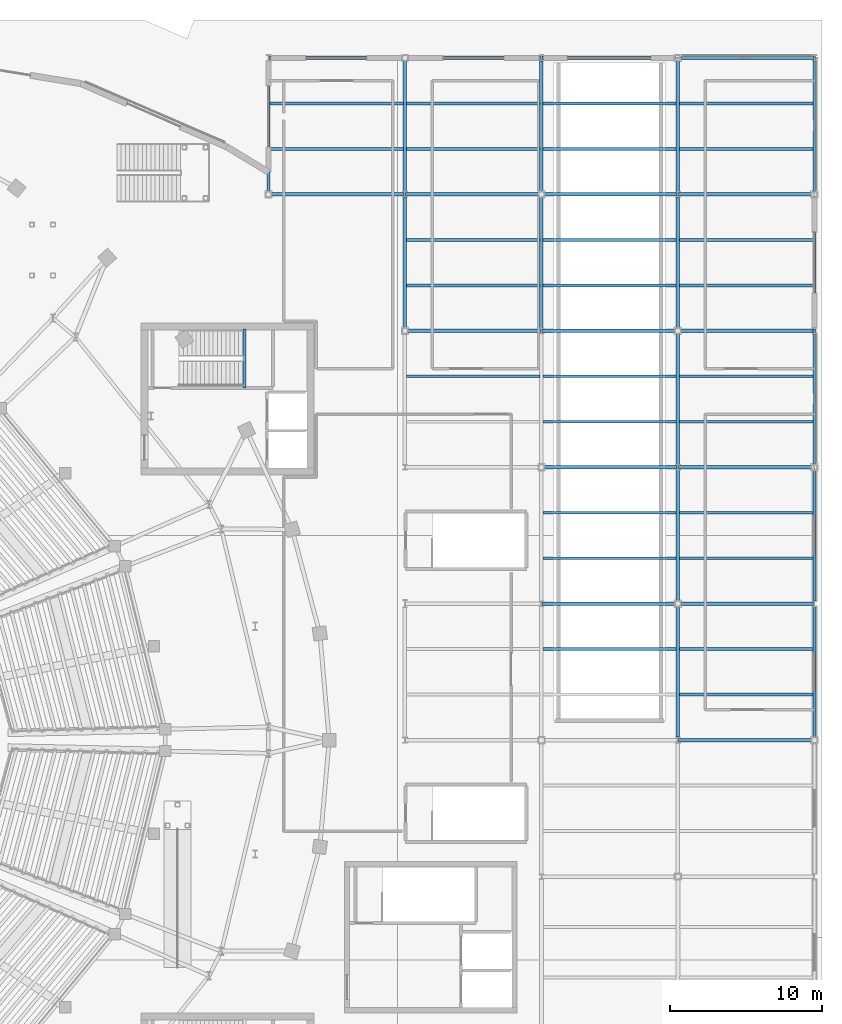
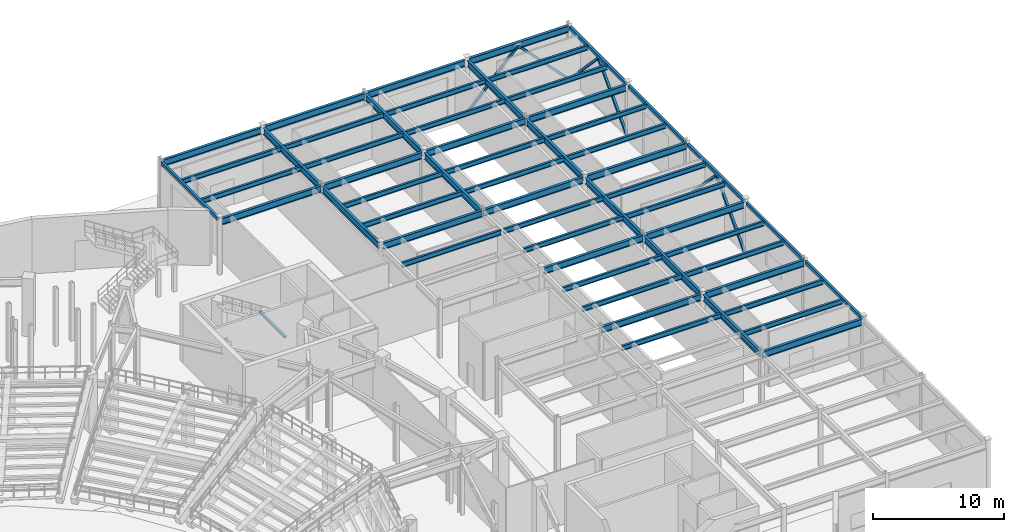
# One storey, part 39 of 79: 58 beams, 6 members.
"""IFC4 building model written with IfcOpenShell, lengths in metres."""

from ifc_helpers import new_model, si_unit, direction, frame, origin, origin_2d, place, context, subcontext, project, spatial, hollow_rectangle, i_section, extrude, material, material_profile, profile_set, type_object, element, save


model = new_model("IFC4")

# Units and contexts
model_context = context("Model", 3, precision=1e-05, world=origin(), true_north=direction((0.0, 1.0)))
body_context = subcontext(model_context, "Body", "Model", "MODEL_VIEW")
ifc_project = project(units=[si_unit("LENGTHUNIT", "METRE"), si_unit("AREAUNIT", "SQUARE_METRE"), si_unit("VOLUMEUNIT", "CUBIC_METRE"), si_unit("PLANEANGLEUNIT", "RADIAN"), si_unit("MASSUNIT", "GRAM", prefix="KILO")], contexts=[model_context])

# Site, building, storey
site_placement = place(None, origin())
site = spatial("IfcSite", under=ifc_project, at=site_placement, CompositionType="ELEMENT")
building_placement = place(site_placement, origin())
building = spatial("IfcBuilding", under=site, at=building_placement, Name="Glasvene Arena", CompositionType="ELEMENT")
storey_placement = place(building_placement, origin())
storey = spatial("IfcBuildingStorey", under=building, at=storey_placement, Name="L00", CompositionType="ELEMENT", Elevation=0.0)

# Beams
ifc_material = material(Name="Steel S355J2", Category="steel")
ifc_material_profile_1 = material_profile(ifc_material, i_section(OverallWidth=0.228271484375, OverallDepth=0.607666015625, WebThickness=0.010986328125, FlangeThickness=0.017333984375, FilletRadius=0.0126953125, at=origin_2d()), Name="UKB 610x229x113")
ifc_profile_set_1 = profile_set([ifc_material_profile_1], Name="Steel S355J2")
beam_type_1 = type_object("IfcBeamType", Name="BM-GIRD-610", PredefinedType="BEAM", material=ifc_profile_set_1)
for number, where, z_axis, x_axis, name in (
    (1, (165.050048828125, 73.0, 4.816162109375), (1.0, 0.0, 0.0), (0.0, 1.0, 0.0), "Primary X girder L00-0324"),
    (2, (156.050048828125, 82.0, 4.816162109375), (1.0, 0.0, 0.0), (0.0, 1.0, 0.0), "Primary X girder L00-0326"),
    (3, (165.1982421875, 82.0, 4.816162109375), (1.0, 0.0, 0.0), (0.0, 1.0, 0.0), "Primary X girder L00-0327"),
    (4, (156.1982421875, 91.0, 4.816162109375), (1.0, 0.0, 0.0), (0.0, 1.0, 0.0), "Primary X girder L00-0329"),
    (5, (165.050048828125, 91.0, 4.816162109375), (1.0, 0.0, 0.0), (0.0, 1.0, 0.0), "Primary X girder L00-0330"),
    (6, (147.1982421875, 100.0, 4.816162109375), (1.0, 0.0, 0.0), (0.0, 1.0, 0.0), "Primary X girder L00-0331"),
    (7, (156.050048828125, 100.0, 4.816162109375), (1.0, 0.0, 0.0), (0.0, 1.0, 0.0), "Primary X girder L00-0332"),
    (8, (165.1982421875, 100.0, 4.816162109375), (1.0, 0.0, 0.0), (0.0, 1.0, 0.0), "Primary X girder L00-0333"),
    (9, (138.1982421875, 109.0, 4.816162109375), (1.0, 0.0, 0.0), (0.0, 1.0, 0.0), "Primary X girder L00-0339"),
    (10, (147.050048828125, 109.0, 4.816162109375), (1.0, 0.0, 0.0), (0.0, 1.0, 0.0), "Primary X girder L00-0340"),
    (11, (156.1982421875, 109.0, 4.816162109375), (1.0, 0.0, 0.0), (0.0, 1.0, 0.0), "Primary X girder L00-0341"),
    (12, (165.050048828125, 109.0, 4.816162109375), (1.0, 0.0, 0.0), (0.0, 1.0, 0.0), "Primary X girder L00-0342"),
    (13, (138.050048828125, 118.0, 4.816162109375), (1.0, 0.0, 0.0), (0.0, 1.0, 0.0), "Primary X girder L00-0348"),
    (14, (147.1982421875, 118.0, 4.816162109375), (1.0, 0.0, 0.0), (0.0, 1.0, 0.0), "Primary X girder L00-0349"),
    (15, (156.050048828125, 118.0, 4.816162109375), (1.0, 0.0, 0.0), (0.0, 1.0, 0.0), "Primary X girder L00-0350"),
    (16, (165.1982421875, 118.0, 4.816162109375), (1.0, 0.0, 0.0), (0.0, 1.0, 0.0), "Primary X girder L00-0351"),
):
    element("IfcBeam", number, at=place(storey_placement, frame(where, z_axis=z_axis, x_axis=x_axis)), inside=storey, type_object=beam_type_1, Name=name, PredefinedType="BEAM", context=body_context, shape_type="SweptSolid", body=[
        extrude(i_section(OverallWidth=0.228271484375, OverallDepth=0.607666015625, WebThickness=0.010986328125, FlangeThickness=0.017333984375, FilletRadius=0.0126953125, at=origin_2d()), origin(), (0.0, 0.0, 1.0), 8.751708984375),
    ])
for number, where, z_axis, x_axis, name in (
    (17, (147.0, 100.1982421875, 4.816162109375), (0.0, 1.0, 0.0), (-1.0, 0.0, 0.0), "Primary Y girder L00-0401"),
    (18, (147.0, 109.195068359375, 4.816162109375), (0.0, 1.0, 0.0), (-1.0, 0.0, 0.0), "Primary Y girder L00-0402"),
    (19, (156.0, 100.195068359375, 4.816162109375), (0.0, 1.0, 0.0), (-1.0, 0.0, 0.0), "Primary Y girder L00-0408"),
    (20, (156.0, 109.1982421875, 4.816162109375), (0.0, 1.0, 0.0), (-1.0, 0.0, 0.0), "Primary Y girder L00-0409"),
    (21, (165.0, 73.195068359375, 4.816162109375), (0.0, 1.0, 0.0), (-1.0, 0.0, 0.0), "Primary Y girder L00-0412"),
    (22, (165.0, 82.1982421875, 4.816162109375), (0.0, 1.0, 0.0), (-1.0, 0.0, 0.0), "Primary Y girder L00-0413"),
    (23, (165.0, 91.195068359375, 4.816162109375), (0.0, 1.0, 0.0), (-1.0, 0.0, 0.0), "Primary Y girder L00-0414"),
    (24, (165.0, 100.1982421875, 4.816162109375), (0.0, 1.0, 0.0), (-1.0, 0.0, 0.0), "Primary Y girder L00-0415"),
    (25, (165.0, 109.195068359375, 4.816162109375), (0.0, 1.0, 0.0), (-1.0, 0.0, 0.0), "Primary Y girder L00-0416"),
):
    element("IfcBeam", number, at=place(storey_placement, frame(where, z_axis=z_axis, x_axis=x_axis)), inside=storey, type_object=beam_type_1, Name=name, PredefinedType="BEAM", context=body_context, shape_type="SweptSolid", body=[
        extrude(i_section(OverallWidth=0.228271484375, OverallDepth=0.607666015625, WebThickness=0.010986328125, FlangeThickness=0.017333984375, FilletRadius=0.0126953125, at=origin_2d()), origin(), (0.0, 0.0, 1.0), 8.606689453125),
    ])
ifc_material_profile_2 = material_profile(ifc_material, i_section(OverallWidth=0.1904296875, OverallDepth=0.45703125, WebThickness=0.009033203125, FlangeThickness=0.014404296875, FilletRadius=0.01025390625, at=origin_2d()), Name="UKB 457x191x74")
ifc_profile_set_2 = profile_set([ifc_material_profile_2], Name="Steel S355J2")
beam_type_2 = type_object("IfcBeamType", Name="BM-JOIST-457", PredefinedType="JOIST", material=ifc_profile_set_2)
for number, where, z_axis, x_axis, name in (
    (26, (138.095947265625, 112.0, 4.8916015625), (1.0, 0.0, 0.0), (0.0, 1.0, 0.0), "Composite floor joist L00-0484"),
    (27, (138.095947265625, 115.0, 4.8916015625), (1.0, 0.0, 0.0), (0.0, 1.0, 0.0), "Composite floor joist L00-0485"),
):
    element("IfcBeam", number, at=place(storey_placement, frame(where, z_axis=z_axis, x_axis=x_axis)), inside=storey, type_object=beam_type_2, Name=name, PredefinedType="JOIST", context=body_context, shape_type="SweptSolid", body=[
        extrude(i_section(OverallWidth=0.1904296875, OverallDepth=0.45703125, WebThickness=0.009033203125, FlangeThickness=0.014404296875, FilletRadius=0.01025390625, at=origin_2d()), origin(), (0.0, 0.0, 1.0), 8.7939453125),
    ])
for number, where, z_axis, x_axis, name in (
    (28, (147.110107421875, 97.0, 4.8916015625), (1.0, 0.0, 0.0), (0.0, 1.0, 0.0), "Composite floor joist L00-0489"),
    (29, (147.110107421875, 103.0, 4.8916015625), (1.0, 0.0, 0.0), (0.0, 1.0, 0.0), "Composite floor joist L00-0490"),
    (30, (147.110107421875, 106.0, 4.8916015625), (1.0, 0.0, 0.0), (0.0, 1.0, 0.0), "Composite floor joist L00-0491"),
    (31, (147.110107421875, 112.0, 4.8916015625), (1.0, 0.0, 0.0), (0.0, 1.0, 0.0), "Composite floor joist L00-0492"),
    (32, (147.110107421875, 115.0, 4.8916015625), (1.0, 0.0, 0.0), (0.0, 1.0, 0.0), "Composite floor joist L00-0493"),
    (33, (156.110107421875, 79.0, 4.8916015625), (1.0, 0.0, 0.0), (0.0, 1.0, 0.0), "Composite floor joist L00-0499"),
    (34, (156.110107421875, 85.0, 4.8916015625), (1.0, 0.0, 0.0), (0.0, 1.0, 0.0), "Composite floor joist L00-0500"),
    (35, (156.110107421875, 88.0, 4.8916015625), (1.0, 0.0, 0.0), (0.0, 1.0, 0.0), "Composite floor joist L00-0501"),
    (36, (156.110107421875, 94.0, 4.8916015625), (1.0, 0.0, 0.0), (0.0, 1.0, 0.0), "Composite floor joist L00-0502"),
    (37, (156.110107421875, 97.0, 4.8916015625), (1.0, 0.0, 0.0), (0.0, 1.0, 0.0), "Composite floor joist L00-0503"),
    (38, (156.110107421875, 103.0, 4.8916015625), (1.0, 0.0, 0.0), (0.0, 1.0, 0.0), "Composite floor joist L00-0504"),
    (39, (156.110107421875, 106.0, 4.8916015625), (1.0, 0.0, 0.0), (0.0, 1.0, 0.0), "Composite floor joist L00-0505"),
    (40, (156.110107421875, 112.0, 4.8916015625), (1.0, 0.0, 0.0), (0.0, 1.0, 0.0), "Composite floor joist L00-0506"),
    (41, (156.110107421875, 115.0, 4.8916015625), (1.0, 0.0, 0.0), (0.0, 1.0, 0.0), "Composite floor joist L00-0507"),
):
    element("IfcBeam", number, at=place(storey_placement, frame(where, z_axis=z_axis, x_axis=x_axis)), inside=storey, type_object=beam_type_2, Name=name, PredefinedType="JOIST", context=body_context, shape_type="SweptSolid", body=[
        extrude(i_section(OverallWidth=0.1904296875, OverallDepth=0.45703125, WebThickness=0.009033203125, FlangeThickness=0.014404296875, FilletRadius=0.01025390625, at=origin_2d()), origin(), (0.0, 0.0, 1.0), 8.77978515625),
    ])
for number, where, z_axis, x_axis, name in (
    (42, (165.110107421875, 76.0, 4.8916015625), (1.0, 0.0, 0.0), (0.0, 1.0, 0.0), "Composite floor joist L00-0512"),
    (43, (165.110107421875, 79.0, 4.8916015625), (1.0, 0.0, 0.0), (0.0, 1.0, 0.0), "Composite floor joist L00-0513"),
    (44, (165.110107421875, 85.0, 4.8916015625), (1.0, 0.0, 0.0), (0.0, 1.0, 0.0), "Composite floor joist L00-0514"),
    (45, (165.110107421875, 88.0, 4.8916015625), (1.0, 0.0, 0.0), (0.0, 1.0, 0.0), "Composite floor joist L00-0515"),
    (46, (165.110107421875, 94.0, 4.8916015625), (1.0, 0.0, 0.0), (0.0, 1.0, 0.0), "Composite floor joist L00-0516"),
    (47, (165.110107421875, 97.0, 4.8916015625), (1.0, 0.0, 0.0), (0.0, 1.0, 0.0), "Composite floor joist L00-0517"),
    (48, (165.110107421875, 103.0, 4.8916015625), (1.0, 0.0, 0.0), (0.0, 1.0, 0.0), "Composite floor joist L00-0518"),
    (49, (165.110107421875, 106.0, 4.8916015625), (1.0, 0.0, 0.0), (0.0, 1.0, 0.0), "Composite floor joist L00-0519"),
    (50, (165.110107421875, 112.0, 4.8916015625), (1.0, 0.0, 0.0), (0.0, 1.0, 0.0), "Composite floor joist L00-0520"),
    (51, (165.110107421875, 115.0, 4.8916015625), (1.0, 0.0, 0.0), (0.0, 1.0, 0.0), "Composite floor joist L00-0521"),
):
    element("IfcBeam", number, at=place(storey_placement, frame(where, z_axis=z_axis, x_axis=x_axis)), inside=storey, type_object=beam_type_2, Name=name, PredefinedType="JOIST", context=body_context, shape_type="SweptSolid", body=[
        extrude(i_section(OverallWidth=0.1904296875, OverallDepth=0.45703125, WebThickness=0.009033203125, FlangeThickness=0.014404296875, FilletRadius=0.01025390625, at=origin_2d()), origin(), (0.0, 0.0, 1.0), 8.7939453125),
    ])
ifc_material_profile_3 = material_profile(ifc_material, hollow_rectangle(XDim=0.199951171875, YDim=0.199951171875, WallThickness=0.010009765625, at=origin_2d()), Name="SHS 200x200x10.0")
ifc_profile_set_3 = profile_set([ifc_material_profile_3], Name="Steel S355J2")
beam_type_3 = type_object("IfcBeamType", Name="BM-LINTEL-200", PredefinedType="LINTEL", material=ifc_profile_set_3)
beam_placement = place(storey_placement, frame((136.419921875, 96.22998046875, 2.3798828125), z_axis=(0.0, 1.0, 0.0), x_axis=(-1.0, 0.0, 0.0)))
element("IfcBeam", 52, at=beam_placement, inside=storey, type_object=beam_type_3, Name="Stair half-landing support beam ST-02-L00", PredefinedType="LINTEL", context=body_context, shape_type="SweptSolid", body=[
    extrude(hollow_rectangle(XDim=0.199951171875, YDim=0.199951171875, WallThickness=0.010009765625, at=origin_2d()), origin(), (0.0, 0.0, 1.0), 3.89013671875),
])
ifc_material_profile_4 = material_profile(ifc_material, hollow_rectangle(XDim=0.199951171875, YDim=0.300048828125, WallThickness=0.012451171875, at=origin_2d()), Name="RHS 300x200x12.5")
ifc_profile_set_4 = profile_set([ifc_material_profile_4], Name="Steel S355J2")
beam_type_4 = type_object("IfcBeamType", Name="BM-SPAND-300", PredefinedType="SPANDREL", material=ifc_profile_set_4)
for number, where, z_axis, x_axis, name in (
    (53, (138.0, 109.1982421875, 4.969970703125), (0.0, 1.0, 0.0), (-1.0, 0.0, 0.0), "Primary Y girder L00-0397"),
    (54, (174.0, 73.1982421875, 4.969970703125), (0.0, 1.0, 0.0), (-1.0, 0.0, 0.0), "Primary Y girder L00-0419"),
    (55, (174.0, 82.195068359375, 4.969970703125), (0.0, 1.0, 0.0), (-1.0, 0.0, 0.0), "Primary Y girder L00-0420"),
    (56, (174.0, 91.1982421875, 4.969970703125), (0.0, 1.0, 0.0), (-1.0, 0.0, 0.0), "Primary Y girder L00-0421"),
    (57, (174.0, 100.195068359375, 4.969970703125), (0.0, 1.0, 0.0), (-1.0, 0.0, 0.0), "Primary Y girder L00-0422"),
    (58, (174.0, 109.1982421875, 4.969970703125), (0.0, 1.0, 0.0), (-1.0, 0.0, 0.0), "Primary Y girder L00-0423"),
):
    element("IfcBeam", number, at=place(storey_placement, frame(where, z_axis=z_axis, x_axis=x_axis)), inside=storey, type_object=beam_type_4, Name=name, PredefinedType="SPANDREL", context=body_context, shape_type="SweptSolid", body=[
        extrude(hollow_rectangle(XDim=0.199951171875, YDim=0.300048828125, WallThickness=0.012451171875, at=origin_2d()), origin(), (0.0, 0.0, 1.0), 8.606689453125),
    ])

# Members
ifc_material_profile_5 = material_profile(ifc_material, hollow_rectangle(XDim=0.199951171875, YDim=0.199951171875, WallThickness=0.010009765625, at=origin_2d()), Name="SHS 200x200x10.0")
ifc_profile_set_5 = profile_set([ifc_material_profile_5], Name="Steel S355J2")
member_type = type_object("IfcMemberType", Name="MB-BRACE-SHS200", PredefinedType="BRACE", material=ifc_profile_set_5)
for number, where, z_axis, x_axis, name in (
    (59, (174.0, 91.0, 0.050048828125), (0.0, 0.690040218266, 0.723771025377), (-1.0, 0.0, 0.0), "Perimeter lateral chevron brace L00-001-A"),
    (60, (174.0, 100.0, 0.050048828125), (0.0, -0.690040218266, 0.723771025377), (1.0, 0.0, 0.0), "Perimeter lateral chevron brace L00-002-B"),
    (61, (174.0, 109.0, 0.050048828125), (0.0, 0.690040218266, 0.723771025377), (-1.0, 0.0, 0.0), "Perimeter lateral chevron brace L00-005-A"),
    (62, (174.0, 118.0, 0.050048828125), (0.0, -0.690040218266, 0.723771025377), (1.0, 0.0, 0.0), "Perimeter lateral chevron brace L00-006-B"),
    (63, (165.0, 118.0, 0.050048828125), (0.690040218266, 0.0, 0.723771025377), (0.0, 1.0, 0.0), "Perimeter lateral chevron brace L00-033-A"),
    (64, (174.0, 118.0, 0.050048828125), (-0.690040218266, 0.0, 0.723771025377), (0.0, -1.0, 0.0), "Perimeter lateral chevron brace L00-034-B"),
):
    element("IfcMember", number, at=place(storey_placement, frame(where, z_axis=z_axis, x_axis=x_axis)), inside=storey, type_object=member_type, Name=name, PredefinedType="BRACE", context=body_context, shape_type="SweptSolid", body=[
        extrude(hollow_rectangle(XDim=0.199951171875, YDim=0.199951171875, WallThickness=0.010009765625, at=origin_2d()), origin(), (0.0, 0.0, 1.0), 6.521240234375),
    ])

save(model, "model.ifc")
